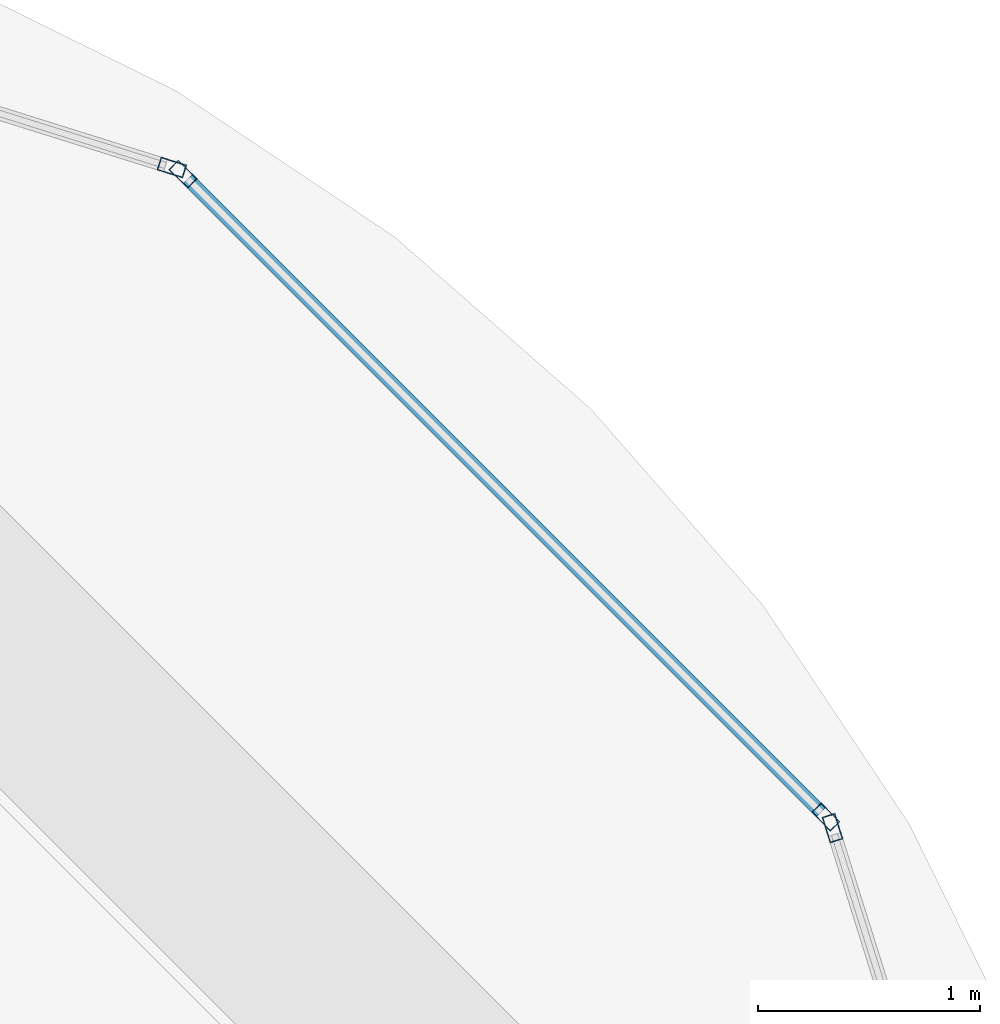
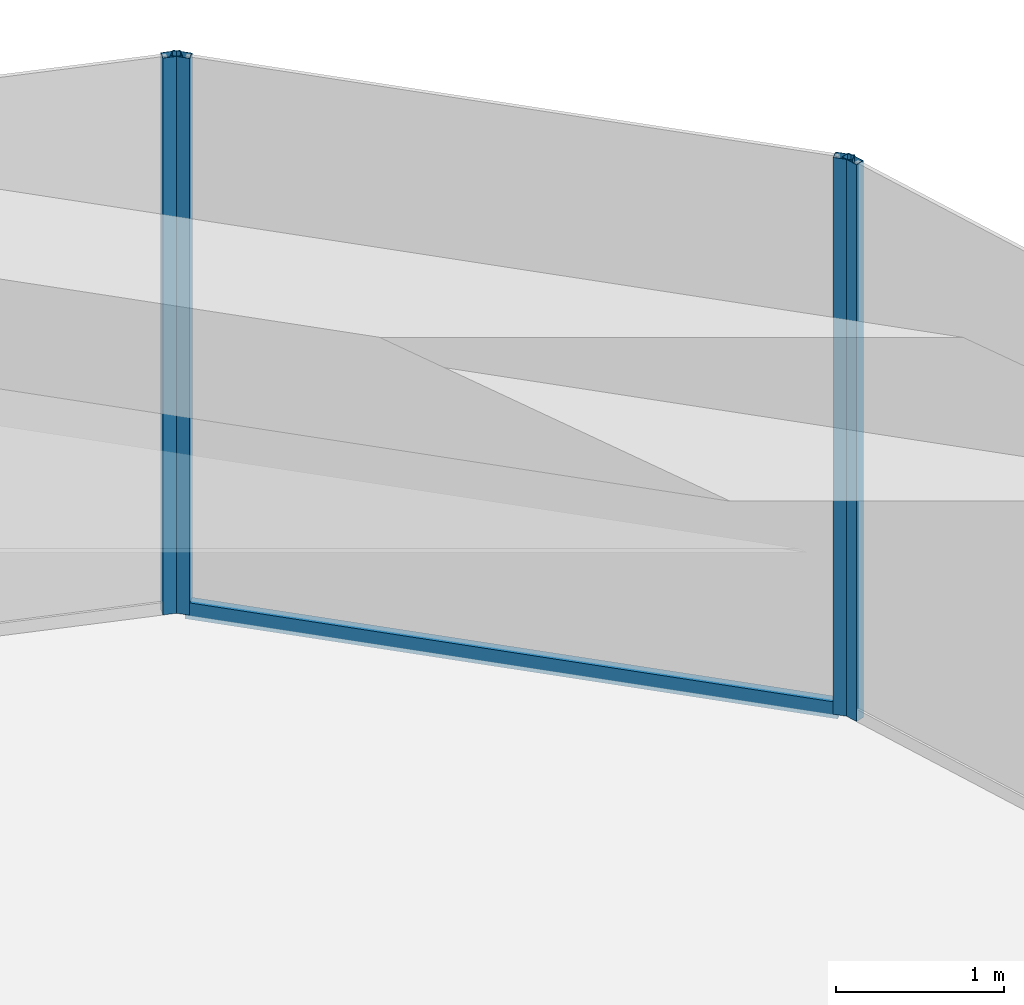
# One storey, part 39 of 44: 5 members, 3 elements without a shape of their own.
"""IFC4 building model written with IfcOpenShell, lengths in metres."""

from ifc_helpers import new_model, si_unit, direction, frame, origin, origin_2d, place, context, subcontext, project, spatial, hollow_rectangle, extrude, material, material_profile, profile_set, type_object, element, aggregate, save


model = new_model("IFC4")

# Units and contexts
model_context = context("Model", 3, precision=1e-05, world=origin(), true_north=direction((0.0, 1.0)))
body_context = subcontext(model_context, "Body", "Model", "MODEL_VIEW")
ifc_project = project(units=[si_unit("LENGTHUNIT", "METRE"), si_unit("AREAUNIT", "SQUARE_METRE"), si_unit("VOLUMEUNIT", "CUBIC_METRE"), si_unit("PLANEANGLEUNIT", "RADIAN"), si_unit("MASSUNIT", "GRAM", prefix="KILO")], contexts=[model_context])

# Site, building, storey
site_placement = place(None, origin())
site = spatial("IfcSite", under=ifc_project, at=site_placement, CompositionType="ELEMENT")
building_placement = place(site_placement, origin())
building = spatial("IfcBuilding", under=site, at=building_placement, Name="Zorevar Civic Tower", CompositionType="ELEMENT")
storey_placement = place(building_placement, frame((0.0, 0.0, 307.39990234375)))
storey = spatial("IfcBuildingStorey", under=building, at=storey_placement, Name="L75", CompositionType="ELEMENT", Elevation=307.39990234375)

# Curtain wall, member
ifc_material_1 = material(Name="Dark grey solar-control glass in black aluminium frame", Category="aluminium")
curtain_wall_type = type_object("IfcCurtainWallType", Name="Curtain wall CW5 top zone", PredefinedType="NOTDEFINED", material=ifc_material_1)
curtain_wall_1_placement = place(storey_placement, origin())
curtain_wall_1 = element("IfcCurtainWall", 1, at=curtain_wall_1_placement, inside=storey, type_object=curtain_wall_type, Name="CW5 L75", PredefinedType="NOTDEFINED")
ifc_material_2 = material(Name="Aluminium, black anodised", Category="aluminium")
ifc_material_profile_1 = material_profile(ifc_material_2, hollow_rectangle(XDim=0.06005859375, YDim=0.1201171875, WallThickness=0.0029296875, at=origin_2d()), Name="AL 120x60x3")
ifc_profile_set_1 = profile_set([ifc_material_profile_1], Name="Aluminium, black anodised")
member_type_1 = type_object("IfcMemberType", Name="CW5 mullion AL 120x60x3", PredefinedType="MULLION", material=ifc_profile_set_1)
member_1_placement = place(storey_placement, frame((52.449951171875, 40.479248046875, 0.0), z_axis=(0.0, 0.0, 1.0), x_axis=(-0.954153437674, -0.299317920238, 0.0)))
member_1 = element("IfcMember", 2, at=member_1_placement, type_object=member_type_1, Name="CW5 mullion 2", PredefinedType="MULLION", context=body_context, shape_type="SweptSolid", body=[
    extrude(hollow_rectangle(XDim=0.06005859375, YDim=0.1201171875, WallThickness=0.0029296875, at=origin_2d()), origin(), (0.0, 0.0, 1.0), 4.050048828125),
])
aggregate(curtain_wall_1, [member_1])

# Curtain wall, members
curtain_wall_2_placement = place(storey_placement, origin())
curtain_wall_2 = element("IfcCurtainWall", 3, at=curtain_wall_2_placement, inside=storey, type_object=curtain_wall_type, Name="CW5 L75", PredefinedType="NOTDEFINED")
member_2_placement = place(storey_placement, frame((52.419677734375, 40.529052734375, 0.0), z_axis=(0.0, 0.0, 1.0), x_axis=(-0.707106781187, -0.707106781187, 0.0)))
member_2 = element("IfcMember", 4, at=member_2_placement, type_object=member_type_1, Name="CW5 mullion 1", PredefinedType="MULLION", context=body_context, shape_type="SweptSolid", body=[
    extrude(hollow_rectangle(XDim=0.06005859375, YDim=0.1201171875, WallThickness=0.0029296875, at=origin_2d()), origin(), (0.0, 0.0, 1.0), 4.050048828125),
])
member_3_placement = place(storey_placement, frame((49.529052734375, 43.419677734375, 0.0), z_axis=(0.0, 0.0, 1.0), x_axis=(-0.707106781187, -0.707106781187, 0.0)))
member_3 = element("IfcMember", 5, at=member_3_placement, type_object=member_type_1, Name="CW5 mullion 2", PredefinedType="MULLION", context=body_context, shape_type="SweptSolid", body=[
    extrude(hollow_rectangle(XDim=0.06005859375, YDim=0.1201171875, WallThickness=0.0029296875, at=origin_2d()), origin(), (0.0, 0.0, 1.0), 4.050048828125),
])

# Curtain wall, member
curtain_wall_3_placement = place(storey_placement, origin())
curtain_wall_3 = element("IfcCurtainWall", 6, at=curtain_wall_3_placement, inside=storey, type_object=curtain_wall_type, Name="CW5 L75", PredefinedType="NOTDEFINED")
member_4_placement = place(storey_placement, frame((49.479248046875, 43.449951171875, 0.0), z_axis=(0.0, 0.0, 1.0), x_axis=(-0.299317920238, -0.954153437674, 0.0)))
member_4 = element("IfcMember", 7, at=member_4_placement, type_object=member_type_1, Name="CW5 mullion 1", PredefinedType="MULLION", context=body_context, shape_type="SweptSolid", body=[
    extrude(hollow_rectangle(XDim=0.06005859375, YDim=0.1201171875, WallThickness=0.0029296875, at=origin_2d()), origin(), (0.0, 0.0, 1.0), 4.050048828125),
])
aggregate(curtain_wall_3, [member_4])

# Member
ifc_material_3 = material(Name="Aluminium, black anodised", Category="aluminium")
ifc_material_profile_2 = material_profile(ifc_material_3, hollow_rectangle(XDim=0.06005859375, YDim=0.1201171875, WallThickness=0.0029296875, at=origin_2d()), Name="AL 120x60x3")
ifc_profile_set_2 = profile_set([ifc_material_profile_2], Name="Aluminium, black anodised")
member_type_2 = type_object("IfcMemberType", Name="CW5 transom AL 120x60x3", PredefinedType="USERDEFINED", material=ifc_profile_set_2)
member_5_placement = place(storey_placement, frame((52.3984375, 40.55029296875, 0.030029296875), z_axis=(-0.707106781187, 0.707106781187, 0.0), x_axis=(-0.707106781187, -0.707106781187, 0.0)))
member_5 = element("IfcMember", 8, at=member_5_placement, type_object=member_type_2, Name="CW5 sill transom", ObjectType="TRANSOM", PredefinedType="USERDEFINED", context=body_context, shape_type="SweptSolid", body=[
    extrude(hollow_rectangle(XDim=0.06005859375, YDim=0.1201171875, WallThickness=0.0029296875, at=origin_2d()), origin(), (0.0, 0.0, 1.0), 4.02783203125),
])

aggregate(curtain_wall_2, [member_2, member_3, member_5])

save(model, "model.ifc")
